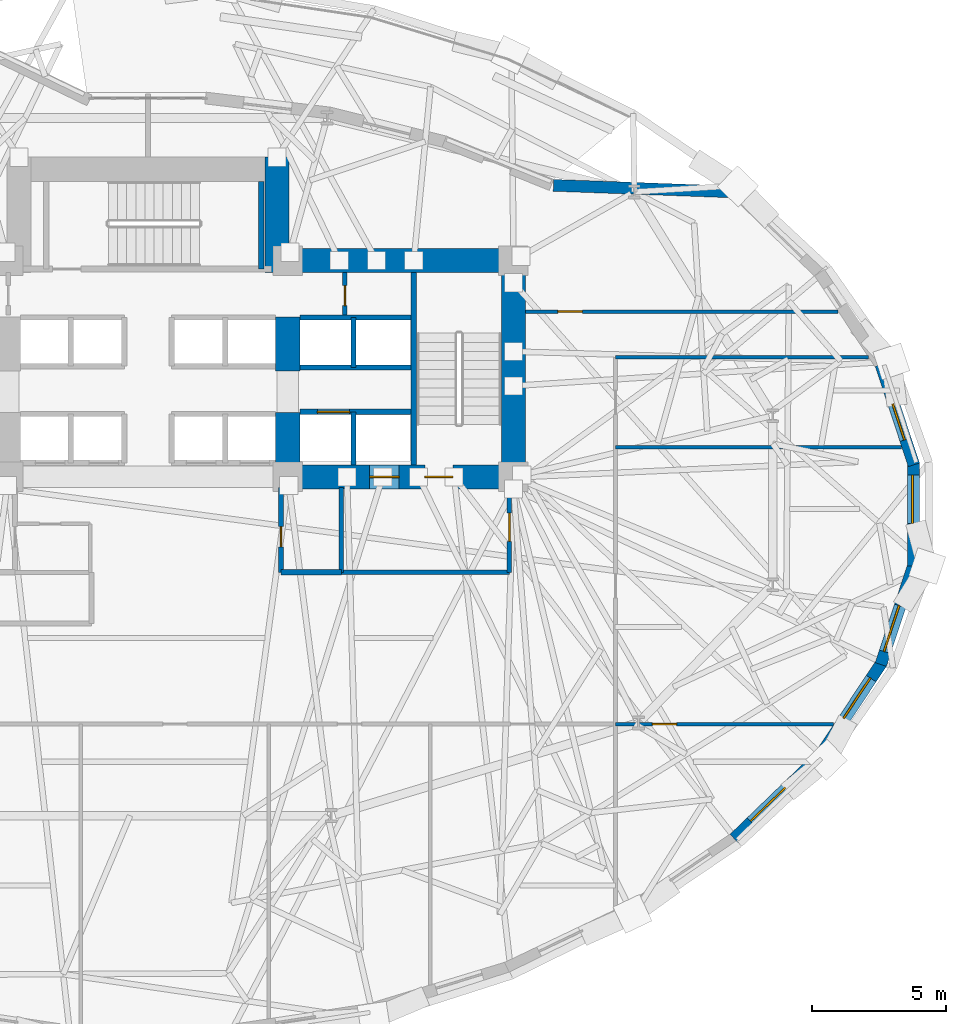
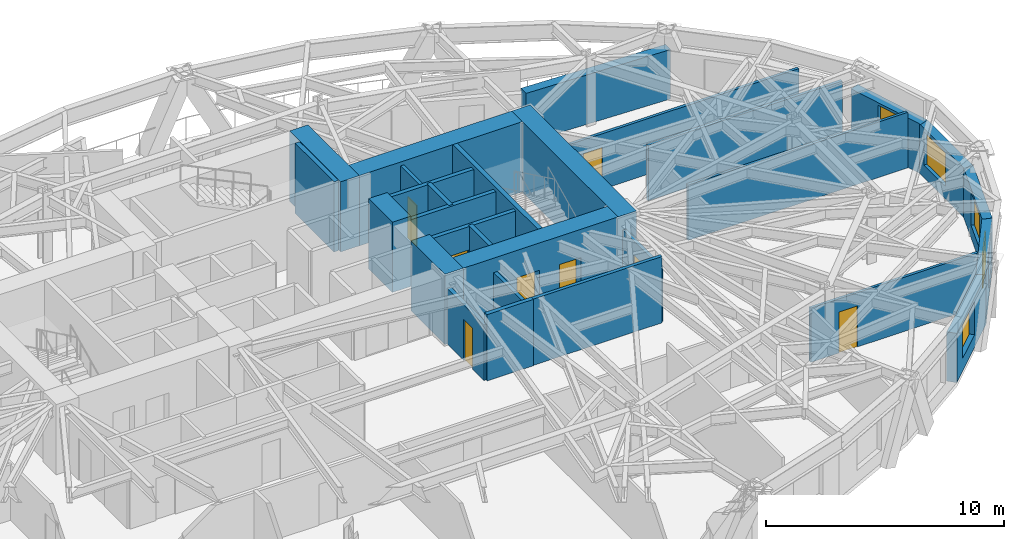
# One storey, part 10 of 15: 29 walls, 8 doors, 5 windows, 13 openings.
"""IFC4 building model written with IfcOpenShell, lengths in metres."""

import ifcopenshell
import ifcopenshell.guid

model = None  # the IFC model being written
_history = None  # IfcOwnerHistory: only IFC2X3 demands one
_inside = {}  # id of a spatial element -> (the spatial element, [elements in it])
_under = {}  # id of a project, library or spatial element -> (it, [spatial elements below it])
_declared = {}  # id of a project -> (the project, [libraries it declares])
_typed = {}  # id of a type object -> (the type object, [elements of that type])
_made_of = {}  # id of a material, layer set ... -> (it, [elements and type objects made of it])


def new_model(schema):
    """Start an empty IFC model of exactly this schema.

    Asked for "IFC4X3", IfcOpenShell would pick the latest addendum, in which some entities
    have other attributes; the version numbers below select the first issue.
    IFC2X3 requires an IfcOwnerHistory on every rooted entity: one is made here for all.
    """
    global model, _history
    if schema == "IFC4X3":
        model = ifcopenshell.file(schema_version=(4, 3, 0, 0))
    else:
        model = ifcopenshell.file(schema=schema)
    _inside.clear()
    _under.clear()
    _declared.clear()
    _typed.clear()
    _made_of.clear()
    _history = None
    if model.schema == "IFC2X3":
        org = make("IfcOrganization", Name="unknown")
        user = make(
            "IfcPersonAndOrganization",
            ThePerson=make("IfcPerson", FamilyName="unknown"),
            TheOrganization=org,
        )
        app = make(
            "IfcApplication",
            ApplicationDeveloper=org,
            Version="unknown",
            ApplicationFullName="unknown",
            ApplicationIdentifier="unknown",
        )
        _history = make(
            "IfcOwnerHistory",
            OwningUser=user,
            OwningApplication=app,
            ChangeAction="ADDED",
            CreationDate=0,
        )
    return model


def make(cls, **values):
    """One entity of the class cls with the attributes given. An attribute that is None is left unset."""
    return model.create_entity(
        cls, **{name: value for name, value in values.items() if value is not None}
    )


def rooted(cls, **values):
    """An entity with a GlobalId (a new one), such as an element, a storey or a relation."""
    return make(cls, GlobalId=ifcopenshell.guid.new(), OwnerHistory=_history, **values)


def si_unit(unit_type, name, prefix=None):
    """IfcSIUnit, for example si_unit("LENGTHUNIT", "METRE", prefix="MILLI")."""
    return make("IfcSIUnit", UnitType=unit_type, Prefix=prefix, Name=name)


def assignment(units):
    """IfcUnitAssignment: the units of a project."""
    return None if units is None else make("IfcUnitAssignment", Units=units)


def point(xyz):
    """IfcCartesianPoint."""
    return None if xyz is None else make("IfcCartesianPoint", Coordinates=xyz)


def direction(xyz):
    """IfcDirection."""
    return None if xyz is None else make("IfcDirection", DirectionRatios=xyz)


def frame(location, z_axis=None, x_axis=None):
    """IfcAxis2Placement3D, a coordinate frame: its origin and axes. An axis left out is left unset."""
    return make(
        "IfcAxis2Placement3D",
        Location=point(location),
        Axis=direction(z_axis),
        RefDirection=direction(x_axis),
    )


def frame_2d(location, x_axis=None):
    """IfcAxis2Placement2D, a coordinate frame in the plane: its origin and x axis."""
    return make(
        "IfcAxis2Placement2D", Location=point(location), RefDirection=direction(x_axis)
    )


def origin():
    """The frame at (0, 0, 0) with its axes left unset."""
    return frame((0.0, 0.0, 0.0))


def place(relative_to, where):
    """IfcLocalPlacement: puts the frame where relative to a parent placement (None: the world)."""
    return make(
        "IfcLocalPlacement", PlacementRelTo=relative_to, RelativePlacement=where
    )


def context(
    kind, dimensions, precision=None, world=None, true_north=None, identifier=None
):
    """IfcGeometricRepresentationContext, for example the 3D "Model" context."""
    return make(
        "IfcGeometricRepresentationContext",
        ContextIdentifier=identifier,
        ContextType=kind,
        CoordinateSpaceDimension=dimensions,
        Precision=precision,
        WorldCoordinateSystem=world,
        TrueNorth=true_north,
    )


def subcontext(parent, identifier, kind, view, scale=None):
    """IfcGeometricRepresentationSubContext, for example "Body" below "Model"."""
    return make(
        "IfcGeometricRepresentationSubContext",
        ContextIdentifier=identifier,
        ContextType=kind,
        ParentContext=parent,
        TargetScale=scale,
        TargetView=view,
    )


def project(units=None, contexts=None):
    """IfcProject with its units and contexts."""
    return rooted(
        "IfcProject",
        Name="project",
        RepresentationContexts=contexts,
        UnitsInContext=assignment(units),
    )


def spatial(cls, under=None, at=None, **own):
    """A site, building, storey or space (cls), placed at a placement, below another one or the project."""
    s = rooted(cls, ObjectPlacement=at, **own)
    if under is not None:
        _under.setdefault(under.id(), (under, []))[1].append(s)
    return s


def profile(cls, at=None, kind="AREA", **sizes):
    """A parametric profile (cls). Its sizes go by their IFC names, for example OverallWidth=200.0."""
    return make(cls, ProfileType=kind, Position=at, **sizes)


def rectangle(**sizes):
    """IfcRectangleProfileDef."""
    return profile("IfcRectangleProfileDef", **sizes)


def extrude(swept, where, along, depth):
    """IfcExtrudedAreaSolid: the profile swept, set in the frame where, extruded along a direction by depth."""
    return make(
        "IfcExtrudedAreaSolid",
        SweptArea=swept,
        Position=where,
        ExtrudedDirection=direction(along),
        Depth=depth,
    )


def shape(context_of_items, identifier, shape_type, items):
    """IfcShapeRepresentation: the items that make up one representation, for example the "Body"."""
    return make(
        "IfcShapeRepresentation",
        ContextOfItems=context_of_items,
        RepresentationIdentifier=identifier,
        RepresentationType=shape_type,
        Items=items,
    )


def material(Name=None, Category=None):
    """IfcMaterial."""
    return make("IfcMaterial", Name=Name, Category=Category)


def layer(
    of_material, thickness, ventilated=None, Name=None, Category=None, Priority=None
):
    """IfcMaterialLayer: one layer of a wall or slab, of a material (None: an air gap)."""
    return make(
        "IfcMaterialLayer",
        Material=of_material,
        LayerThickness=thickness,
        IsVentilated=ventilated,
        Name=Name,
        Category=Category,
        Priority=Priority,
    )


def layer_set(layers, Name=None):
    """IfcMaterialLayerSet."""
    return make("IfcMaterialLayerSet", MaterialLayers=layers, LayerSetName=Name)


def made_of(thing, what):
    """Note that an element or type object is made of a material, layer set ...; save() writes the relation."""
    if what is not None:
        _made_of.setdefault(what.id(), (what, []))[1].append(thing)
    return thing


def type_object(cls, material=None, **own):
    """A type object (cls), such as IfcWallType, which elements share."""
    return made_of(rooted(cls, **own), material)


def element(
    cls,
    number,
    at=None,
    inside=None,
    cuts=None,
    type_object=None,
    material=None,
    context=None,
    identifier="Body",
    shape_type=None,
    held_by="IfcProductDefinitionShape",
    body=None,
    shapes=None,
    **own,
):
    """One element of the class cls, such as IfcWall. Its Tag is "e" and its number.

    at: its placement. inside: the storey or other place that contains it. cuts: it is an
    opening in that element (IfcRelVoidsElement). A single representation is given by context,
    identifier, shape_type and body (its items); several are given by shapes. held_by: the class
    of the entity that holds the representations. save() writes the other relations.
    """
    e = rooted(cls, Tag="e%d" % number, ObjectPlacement=at, **own)
    if body is not None:
        shapes = [shape(context, identifier, shape_type, body)]
    if shapes is not None:
        e.Representation = make(held_by, Representations=shapes)
    if inside is not None:
        _inside.setdefault(inside.id(), (inside, []))[1].append(e)
    if cuts is not None:
        rooted(
            "IfcRelVoidsElement", RelatingBuildingElement=cuts, RelatedOpeningElement=e
        )
    if type_object is not None:
        _typed.setdefault(type_object.id(), (type_object, []))[1].append(e)
    return made_of(e, material)


def fill(opening, filler):
    """IfcRelFillsElement: the door or window that sits in an opening."""
    return rooted(
        "IfcRelFillsElement",
        RelatingOpeningElement=opening,
        RelatedBuildingElement=filler,
    )


def aggregate(whole, parts):
    """IfcRelAggregates: a whole, such as a stair, and the parts it consists of."""
    return rooted("IfcRelAggregates", RelatingObject=whole, RelatedObjects=parts)


def save(model, path):
    """Write the relations noted so far, then the file.

    IfcRelAggregates (storeys below a building ...), IfcRelContainedInSpatialStructure (elements
    in a storey), IfcRelDefinesByType, IfcRelAssociatesMaterial and IfcRelDeclares: one each for
    every whole, place, type object, material and project.
    """
    for whole, parts in _under.values():
        aggregate(whole, parts)
    for where, things in _inside.values():
        rooted(
            "IfcRelContainedInSpatialStructure",
            RelatedElements=things,
            RelatingStructure=where,
        )
    for kind, things in _typed.values():
        rooted("IfcRelDefinesByType", RelatedObjects=things, RelatingType=kind)
    for what, things in _made_of.values():
        rooted("IfcRelAssociatesMaterial", RelatedObjects=things, RelatingMaterial=what)
    for by, libraries in _declared.values():
        rooted("IfcRelDeclares", RelatingContext=by, RelatedDefinitions=libraries)
    model.write(path)


model = new_model("IFC4")

# Units and contexts
model_context = context("Model", 3, precision=1e-05, world=origin(), true_north=direction((0.0, 1.0)))
body_context = subcontext(model_context, "Body", "Model", "MODEL_VIEW")
ifc_project = project(units=[si_unit("LENGTHUNIT", "METRE"), si_unit("AREAUNIT", "SQUARE_METRE"), si_unit("VOLUMEUNIT", "CUBIC_METRE"), si_unit("PLANEANGLEUNIT", "RADIAN"), si_unit("MASSUNIT", "GRAM", prefix="KILO")], contexts=[model_context])

# Site, building, storey
site_placement = place(None, origin())
site = spatial("IfcSite", under=ifc_project, at=site_placement, CompositionType="ELEMENT")
building_placement = place(site_placement, origin())
building = spatial("IfcBuilding", under=site, at=building_placement, Name="Keldmark Tower", CompositionType="ELEMENT")
storey_placement = place(building_placement, frame((0.0, 0.0, 55.800048828125)))
storey = spatial("IfcBuildingStorey", under=building, at=storey_placement, Name="L14", CompositionType="ELEMENT", Elevation=55.800048828125)

# Wall, opening, door
ifc_material_1 = material(Name="Acoustic Double-Layer Gypsum Corridor Partition", Category="gypsum")
ifc_layer_1 = layer(ifc_material_1, 0.139892578125)
ifc_layer_set_1 = layer_set([ifc_layer_1], Name="Acoustic Double-Layer Gypsum Corridor Partition")
wall_type_1 = type_object("IfcWallType", Name="Acoustic Corridor Partition 140 mm", PredefinedType="PARTITIONING", material=ifc_layer_set_1)
wall_1_placement = place(storey_placement, frame((14.050048828125, 7.550048828125, 0.0), z_axis=(0.0, 0.0, 1.0), x_axis=(1.0, 0.0, 0.0)))
wall_1 = element("IfcWall", 1, at=wall_1_placement, inside=storey, type_object=wall_type_1, Name="L14 Acoustic Corridor Partition 140 mm COR-EN-CAP", PredefinedType="PARTITIONING", context=body_context, shape_type="SweptSolid", body=[
    extrude(rectangle(XDim=11.633544921875, YDim=0.139892578125, at=frame_2d((5.81689453125, 0.0))), origin(), (0.0, 0.0, 1.0), 2.85302734375),
])
opening_1_placement = place(wall_1_placement, frame((1.199951171875, 0.0, 0.0)))
opening_1 = element("IfcOpeningElement", 2, at=opening_1_placement, cuts=wall_1, Name="Opening D-EX092", PredefinedType="OPENING", context=body_context, shape_type="SweptSolid", body=[
    extrude(rectangle(XDim=0.919921875, YDim=2.14990234375, at=frame_2d((0.4599609375, 1.074951171875))), frame((0.0, 0.079833984375, 0.0), z_axis=(0.0, -1.0, 0.0), x_axis=(1.0, 0.0, 0.0)), (0.0, 0.0, 1.0), 0.159912109375),
])
ifc_material_2 = material(Name="Flush American Ash Executive Office Door", Category="wood")
door_type_1 = type_object("IfcDoorType", Name="Executive Office Door 920x2150", OperationType="NOTDEFINED", PredefinedType="DOOR", material=ifc_material_2)
door_1_placement = place(opening_1_placement, origin())
door_1 = element("IfcDoor", 3, at=door_1_placement, inside=storey, type_object=door_type_1, Name="L14 Executive Office Door 920x2150 D-NRNE-L14", OperationType="SINGLE_SWING_RIGHT", OverallHeight=2.14990234375, OverallWidth=0.919921875, PredefinedType="DOOR", context=body_context, shape_type="SweptSolid", body=[
    extrude(rectangle(XDim=0.919921875, YDim=2.14990234375, at=frame_2d((0.4599609375, 1.074951171875))), frame((0.0, 0.02490234375, 0.0), z_axis=(0.0, -1.0, 0.0), x_axis=(1.0, 0.0, 0.0)), (0.0, 0.0, 1.0), 0.050048828125),
])
fill(opening_1, door_1)

# Wall
wall_2_placement = place(storey_placement, frame((17.39990234375, 5.85009765625, 0.0), z_axis=(0.0, 0.0, 1.0), x_axis=(1.0, 0.0, 0.0)))
element("IfcWall", 4, at=wall_2_placement, inside=storey, type_object=wall_type_1, Name="L14 Acoustic Corridor Partition 140 mm COR-EA-S", PredefinedType="PARTITIONING", context=body_context, shape_type="SweptSolid", body=[
    extrude(rectangle(XDim=9.41259765625, YDim=0.139892578125, at=frame_2d((4.706298828125, 0.0))), origin(), (0.0, 0.0, 1.0), 2.85302734375),
])

# Wall, opening, door
ifc_material_3 = material(Name="Acoustic Gypsum Board Interior Partition", Category="gypsum")
ifc_layer_2 = layer(ifc_material_3, 0.1298828125)
ifc_layer_set_2 = layer_set([ifc_layer_2], Name="Acoustic Gypsum Board Interior Partition")
wall_type_2 = type_object("IfcWallType", Name="Interior Partition 130 mm", PredefinedType="PARTITIONING", material=ifc_layer_set_2)
wall_3_placement = place(storey_placement, frame((17.39990234375, -7.800048828125, 0.0), z_axis=(0.0, 0.0, 1.0), x_axis=(1.0, 0.0, 0.0)))
wall_3 = element("IfcWall", 5, at=wall_3_placement, inside=storey, type_object=wall_type_2, Name="L14 Interior Partition 130 mm E-CAP-S", PredefinedType="PARTITIONING", context=body_context, shape_type="SweptSolid", body=[
    extrude(rectangle(XDim=8.11767578125, YDim=0.1298828125, at=frame_2d((4.058837890625, 0.0))), origin(), (0.0, 0.0, 1.0), 2.779052734375),
])
opening_2_placement = place(wall_3_placement, frame((1.3701171875, 0.0, 0.0)))
opening_2 = element("IfcOpeningElement", 6, at=opening_2_placement, cuts=wall_3, Name="Opening D-IN090", PredefinedType="OPENING", context=body_context, shape_type="SweptSolid", body=[
    extrude(rectangle(XDim=0.89990234375, YDim=2.10009765625, at=frame_2d((0.449951171875, 1.050048828125))), frame((0.0, 0.074951171875, 0.0), z_axis=(0.0, -1.0, 0.0), x_axis=(1.0, 0.0, 0.0)), (0.0, 0.0, 1.0), 0.14990234375),
])
ifc_material_4 = material(Name="Stained American White Oak Veneer", Category="wood")
door_type_2 = type_object("IfcDoorType", Name="Interior Door 900x2100", OperationType="NOTDEFINED", PredefinedType="DOOR", material=ifc_material_4)
door_2_placement = place(opening_2_placement, origin())
door_2 = element("IfcDoor", 7, at=door_2_placement, inside=storey, type_object=door_type_2, Name="L14 Interior Door 900x2100 D-ERSE-L14", OperationType="SINGLE_SWING_RIGHT", OverallHeight=2.10009765625, OverallWidth=0.89990234375, PredefinedType="DOOR", context=body_context, shape_type="SweptSolid", body=[
    extrude(rectangle(XDim=0.89990234375, YDim=2.10009765625, at=frame_2d((0.449951171875, 1.050048828125))), frame((0.0, 0.02490234375, 0.0), z_axis=(0.0, -1.0, 0.0), x_axis=(1.0, 0.0, 0.0)), (0.0, 0.0, 1.0), 0.050048828125),
])
fill(opening_2, door_2)

# Walls
wall_4_placement = place(storey_placement, frame((17.39990234375, 2.5, 0.0), z_axis=(0.0, 0.0, 1.0), x_axis=(1.0, 0.0, 0.0)))
element("IfcWall", 8, at=wall_4_placement, inside=storey, type_object=wall_type_2, Name="L14 Interior Partition 130 mm E-DIV-1", PredefinedType="PARTITIONING", context=body_context, shape_type="SweptSolid", body=[
    extrude(rectangle(XDim=10.64990234375, YDim=0.1298828125, at=frame_2d((5.324951171875, 0.0))), origin(), (0.0, 0.0, 1.0), 2.841064453125),
])
ifc_material_5 = material(Name="Concrete C70/85", Category="concrete")
ifc_layer_3 = layer(ifc_material_5, 0.89990234375)
ifc_layer_set_3 = layer_set([ifc_layer_3], Name="Concrete C70/85")
wall_type_3 = type_object("IfcWallType", Name="Lower Core Shear Wall 900 mm", PredefinedType="SHEAR", material=ifc_layer_set_3)
wall_5_placement = place(storey_placement, frame((13.60009765625, 0.949951171875, 0.0), z_axis=(0.0, 0.0, 1.0), x_axis=(0.0, 1.0, 0.0)))
element("IfcWall", 9, at=wall_5_placement, inside=storey, type_object=wall_type_3, Name="L14 East Core Outer Shear Wall", PredefinedType="SHEAR", context=body_context, shape_type="SweptSolid", body=[
    extrude(rectangle(XDim=8.949951171875, YDim=0.89990234375, at=frame_2d((4.47509765625, 0.0))), origin(), (0.0, 0.0, 1.0), 3.599853515625),
])
wall_6_placement = place(storey_placement, frame((4.35009765625, 9.449951171875, 0.0), z_axis=(0.0, 0.0, 1.0), x_axis=(1.0, 0.0, 0.0)))
element("IfcWall", 10, at=wall_6_placement, inside=storey, type_object=wall_type_3, Name="L14 East Core North Shear Wall", PredefinedType="SHEAR", context=body_context, shape_type="SweptSolid", body=[
    extrude(rectangle(XDim=9.699951171875, YDim=0.89990234375, at=frame_2d((4.85009765625, 0.0))), origin(), (0.0, 0.0, 1.0), 3.599853515625),
])

# Wall, openings, doors
wall_7_placement = place(storey_placement, frame((14.050048828125, 1.39990234375, 0.0), z_axis=(0.0, 0.0, 1.0), x_axis=(-1.0, 0.0, 0.0)))
wall_7 = element("IfcWall", 11, at=wall_7_placement, inside=storey, type_object=wall_type_3, Name="L14 East Core South Shear Wall", PredefinedType="SHEAR", context=body_context, shape_type="SweptSolid", body=[
    extrude(rectangle(XDim=9.300048828125, YDim=0.89990234375, at=frame_2d((4.64990234375, 0.0))), origin(), (0.0, 0.0, 1.0), 3.599853515625),
])
opening_3_placement = place(wall_7_placement, frame((2.699951171875, 0.0, 0.0)))
opening_3 = element("IfcOpeningElement", 12, at=opening_3_placement, cuts=wall_7, Name="Opening D-ST105", PredefinedType="OPENING", context=body_context, shape_type="SweptSolid", body=[
    extrude(rectangle(XDim=1.050048828125, YDim=2.14990234375, at=frame_2d((0.52490234375, 1.074951171875))), frame((0.0, 0.4599609375, 0.0), z_axis=(0.0, -1.0, 0.0), x_axis=(1.0, 0.0, 0.0)), (0.0, 0.0, 1.0), 0.919921875),
])
opening_4_placement = place(wall_7_placement, frame((4.699951171875, 0.0, 0.0)))
opening_4 = element("IfcOpeningElement", 13, at=opening_4_placement, cuts=wall_7, Name="Opening LD-110", PredefinedType="OPENING", context=body_context, shape_type="SweptSolid", body=[
    extrude(rectangle(XDim=1.10009765625, YDim=2.199951171875, at=frame_2d((0.550048828125, 1.10009765625))), frame((0.0, 0.4599609375, 0.0), z_axis=(0.0, -1.0, 0.0), x_axis=(1.0, 0.0, 0.0)), (0.0, 0.0, 1.0), 0.919921875),
])
ifc_material_6 = material(Name="Brushed Bronze Hoistway Sliding Leaf", Category="metal")
door_type_3 = type_object("IfcDoorType", Name="Lift Landing Sliding Door 1100x2200", OperationType="SLIDING_TO_LEFT", PredefinedType="DOOR", material=ifc_material_6)
door_3_placement = place(opening_4_placement, origin())
door_3 = element("IfcDoor", 14, at=door_3_placement, inside=storey, type_object=door_type_3, Name="L14 Lift Landing Sliding Door 1100x2200 LD-EL-FS2-L14", OperationType="SLIDING_TO_LEFT", OverallHeight=2.199951171875, OverallWidth=1.10009765625, PredefinedType="DOOR", context=body_context, shape_type="SweptSolid", body=[
    extrude(rectangle(XDim=1.10009765625, YDim=2.199951171875, at=frame_2d((0.550048828125, 1.10009765625))), frame((0.0, 0.02490234375, 0.0), z_axis=(0.0, -1.0, 0.0), x_axis=(1.0, 0.0, 0.0)), (0.0, 0.0, 1.0), 0.050048828125),
])
fill(opening_4, door_3)
ifc_material_7 = material(Name="Hollow Metal Fire-Rated Door Assembly", Category="metal")
door_type_4 = type_object("IfcDoorType", Name="Stair Fire Door 1050x2150", OperationType="NOTDEFINED", PredefinedType="DOOR", material=ifc_material_7)
door_4_placement = place(opening_3_placement, origin())
door_4 = element("IfcDoor", 15, at=door_4_placement, inside=storey, type_object=door_type_4, Name="L14 Stair Fire Door 1050x2150 D-ST2-L14", OperationType="SINGLE_SWING_LEFT", OverallHeight=2.14990234375, OverallWidth=1.050048828125, PredefinedType="DOOR", context=body_context, shape_type="SweptSolid", body=[
    extrude(rectangle(XDim=1.050048828125, YDim=2.14990234375, at=frame_2d((0.52490234375, 1.074951171875))), frame((0.0, 0.02490234375, 0.0), z_axis=(0.0, -1.0, 0.0), x_axis=(1.0, 0.0, 0.0)), (0.0, 0.0, 1.0), 0.050048828125),
])
fill(opening_3, door_4)

# Walls
wall_8_placement = place(storey_placement, frame((5.199951171875, 0.949951171875, 0.0), z_axis=(0.0, 0.0, 1.0), x_axis=(0.0, 1.0, 0.0)))
element("IfcWall", 16, at=wall_8_placement, inside=storey, type_object=wall_type_3, Name="L14 East Core Inner Shear Pier South", PredefinedType="SHEAR", context=body_context, shape_type="SweptSolid", body=[
    extrude(rectangle(XDim=2.85009765625, YDim=0.89990234375, at=frame_2d((1.425048828125, 0.0))), origin(), (0.0, 0.0, 1.0), 3.599853515625),
])
wall_9_placement = place(storey_placement, frame((5.199951171875, 5.35009765625, 0.0), z_axis=(0.0, 0.0, 1.0), x_axis=(0.0, 1.0, 0.0)))
element("IfcWall", 17, at=wall_9_placement, inside=storey, type_object=wall_type_3, Name="L14 East Core Inner Shear Pier North", PredefinedType="SHEAR", context=body_context, shape_type="SweptSolid", body=[
    extrude(rectangle(XDim=2.0, YDim=0.89990234375, at=frame_2d((1.0, 0.0))), origin(), (0.0, 0.0, 1.0), 3.599853515625),
])
wall_10_placement = place(storey_placement, frame((4.800048828125, 9.0, 0.0), z_axis=(0.0, 0.0, 1.0), x_axis=(0.0, 1.0, 0.0)))
element("IfcWall", 18, at=wall_10_placement, inside=storey, type_object=wall_type_3, Name="L14 North Core East Shear Wall", PredefinedType="SHEAR", context=body_context, shape_type="SweptSolid", body=[
    extrude(rectangle(XDim=4.300048828125, YDim=0.89990234375, at=frame_2d((2.14990234375, 0.0))), origin(), (0.0, 0.0, 1.0), 3.599853515625),
])
ifc_material_8 = material(Name="Type X Fire-Rated Gypsum Partition Assembly", Category="gypsum")
ifc_layer_4 = layer(ifc_material_8, 0.1650390625)
ifc_layer_set_4 = layer_set([ifc_layer_4], Name="Type X Fire-Rated Gypsum Partition Assembly")
wall_type_4 = type_object("IfcWallType", Name="Rated Partition 165 mm", PredefinedType="PARTITIONING", material=ifc_layer_set_4)
wall_11_placement = place(storey_placement, frame((7.199951171875, -2.14990234375, 0.0), z_axis=(0.0, 0.0, 1.0), x_axis=(1.0, 0.0, 0.0)))
element("IfcWall", 19, at=wall_11_placement, inside=storey, type_object=wall_type_4, Name="L14 Rated Partition 165 mm FSAE-E-S", PredefinedType="PARTITIONING", context=body_context, shape_type="SweptSolid", body=[
    extrude(rectangle(XDim=6.25, YDim=0.1650390625, at=frame_2d((3.125, 0.0))), origin(), (0.0, 0.0, 1.0), 3.39990234375),
])
wall_12_placement = place(storey_placement, frame((7.199951171875, -2.14990234375, 0.0), z_axis=(0.0, 0.0, 1.0), x_axis=(0.0, 1.0, 0.0)))
element("IfcWall", 20, at=wall_12_placement, inside=storey, type_object=wall_type_4, Name="L14 Rated Partition 165 mm FSAE-E-W", PredefinedType="PARTITIONING", context=body_context, shape_type="SweptSolid", body=[
    extrude(rectangle(XDim=3.14990234375, YDim=0.1650390625, at=frame_2d((1.574951171875, 0.0))), origin(), (0.0, 0.0, 1.0), 2.85302734375),
])

# Wall, opening, door
wall_13_placement = place(storey_placement, frame((13.449951171875, -2.14990234375, 0.0), z_axis=(0.0, 0.0, 1.0), x_axis=(0.0, 1.0, 0.0)))
wall_13 = element("IfcWall", 21, at=wall_13_placement, inside=storey, type_object=wall_type_4, Name="L14 Rated Partition 165 mm FSAE-E-E", PredefinedType="PARTITIONING", context=body_context, shape_type="SweptSolid", body=[
    extrude(rectangle(XDim=3.14990234375, YDim=0.1650390625, at=frame_2d((1.574951171875, 0.0))), origin(), (0.0, 0.0, 1.0), 2.85302734375),
])
opening_5_placement = place(wall_13_placement, frame((1.14990234375, 0.0, 0.0)))
opening_5 = element("IfcOpeningElement", 22, at=opening_5_placement, cuts=wall_13, Name="Opening D-FL105", PredefinedType="OPENING", context=body_context, shape_type="SweptSolid", body=[
    extrude(rectangle(XDim=1.050048828125, YDim=2.14990234375, at=frame_2d((0.52490234375, 1.074951171875))), frame((0.0, 0.092529296875, 0.0), z_axis=(0.0, -1.0, 0.0), x_axis=(1.0, 0.0, 0.0)), (0.0, 0.0, 1.0), 0.18505859375),
])
ifc_material_9 = material(Name="Fire-Rated Mineral-Core Door and Vision Lite", Category="metal")
door_type_5 = type_object("IfcDoorType", Name="Fire Lobby Door 1050x2150", OperationType="NOTDEFINED", PredefinedType="DOOR", material=ifc_material_9)
door_5_placement = place(opening_5_placement, origin())
door_5 = element("IfcDoor", 23, at=door_5_placement, inside=storey, type_object=door_type_5, Name="L14 Fire Lobby Door 1050x2150 D-FSAEE-OUT-L14", OperationType="SINGLE_SWING_LEFT", OverallHeight=2.14990234375, OverallWidth=1.050048828125, PredefinedType="DOOR", context=body_context, shape_type="SweptSolid", body=[
    extrude(rectangle(XDim=1.050048828125, YDim=2.14990234375, at=frame_2d((0.52490234375, 1.074951171875))), frame((0.0, 0.02490234375, 0.0), z_axis=(0.0, -1.0, 0.0), x_axis=(1.0, 0.0, 0.0)), (0.0, 0.0, 1.0), 0.050048828125),
])
fill(opening_5, door_5)

wall_14_placement = place(storey_placement, frame((7.330078125, 7.419921875, 0.0), z_axis=(0.0, 0.0, 1.0), x_axis=(0.0, 1.0, 0.0)))
wall_14 = element("IfcWall", 24, at=wall_14_placement, inside=storey, type_object=wall_type_4, Name="L14 Rated Partition 165 mm CS-NE-W", PredefinedType="PARTITIONING", context=body_context, shape_type="SweptSolid", body=[
    extrude(rectangle(XDim=1.580078125, YDim=0.1650390625, at=frame_2d((0.7900390625, 0.0))), origin(), (0.0, 0.0, 1.0), 3.39990234375),
])
opening_6_placement = place(wall_14_placement, frame((0.35009765625, 0.0, 0.0)))
opening_6 = element("IfcOpeningElement", 25, at=opening_6_placement, cuts=wall_14, Name="Opening D-RS075", PredefinedType="OPENING", context=body_context, shape_type="SweptSolid", body=[
    extrude(rectangle(XDim=0.75, YDim=2.10009765625, at=frame_2d((0.375, 1.050048828125))), frame((0.0, 0.092529296875, 0.0), z_axis=(0.0, -1.0, 0.0), x_axis=(1.0, 0.0, 0.0)), (0.0, 0.0, 1.0), 0.18505859375),
])
ifc_material_10 = material(Name="Galvanized Fire-Rated Access Leaf", Category="metal")
door_type_6 = type_object("IfcDoorType", Name="Riser Access Door 750x2100", OperationType="NOTDEFINED", PredefinedType="DOOR", material=ifc_material_10)
door_6_placement = place(opening_6_placement, origin())
door_6 = element("IfcDoor", 26, at=door_6_placement, inside=storey, type_object=door_type_6, Name="L14 Riser Access Door 750x2100 D-CSNE1-L14", OperationType="SINGLE_SWING_LEFT", OverallHeight=2.10009765625, OverallWidth=0.75, PredefinedType="DOOR", context=body_context, shape_type="SweptSolid", body=[
    extrude(rectangle(XDim=0.75, YDim=2.10009765625, at=frame_2d((0.375, 1.050048828125))), frame((0.0, 0.02490234375, 0.0), z_axis=(0.0, -1.0, 0.0), x_axis=(1.0, 0.0, 0.0)), (0.0, 0.0, 1.0), 0.050048828125),
])
fill(opening_6, door_6)

# Wall
ifc_material_11 = material(Name="Fire-Resistant Type X Gypsum Shaftliner Coreboard", Category="gypsum")
ifc_layer_5 = layer(ifc_material_11, 0.199951171875)
ifc_layer_set_5 = layer_set([ifc_layer_5], Name="Fire-Resistant Type X Gypsum Shaftliner Coreboard")
wall_type_5 = type_object("IfcWallType", Name="Shaft Wall 200 mm", PredefinedType="SOLIDWALL", material=ifc_layer_set_5)
wall_15_placement = place(storey_placement, frame((4.949951171875, -2.14990234375, 0.0), z_axis=(0.0, 0.0, 1.0), x_axis=(1.0, 0.0, 0.0)))
element("IfcWall", 27, at=wall_15_placement, inside=storey, type_object=wall_type_5, Name="L14 Shaft Wall 200 mm RIS-SE-S", PredefinedType="SOLIDWALL", context=body_context, shape_type="SweptSolid", body=[
    extrude(rectangle(XDim=2.25, YDim=0.199951171875, at=frame_2d((1.125, 0.0))), origin(), (0.0, 0.0, 1.0), 3.39990234375),
])

# Wall, opening, door
wall_16_placement = place(storey_placement, frame((4.949951171875, -2.14990234375, 0.0), z_axis=(0.0, 0.0, 1.0), x_axis=(0.0, 1.0, 0.0)))
wall_16 = element("IfcWall", 28, at=wall_16_placement, inside=storey, type_object=wall_type_5, Name="L14 Shaft Wall 200 mm RIS-SE-W", PredefinedType="SOLIDWALL", context=body_context, shape_type="SweptSolid", body=[
    extrude(rectangle(XDim=3.14990234375, YDim=0.199951171875, at=frame_2d((1.574951171875, 0.0))), origin(), (0.0, 0.0, 1.0), 2.85302734375),
])
opening_7_placement = place(wall_16_placement, frame((0.949951171875, 0.0, 0.0)))
opening_7 = element("IfcOpeningElement", 29, at=opening_7_placement, cuts=wall_16, Name="Opening D-RS075", PredefinedType="OPENING", context=body_context, shape_type="SweptSolid", body=[
    extrude(rectangle(XDim=0.75, YDim=2.10009765625, at=frame_2d((0.375, 1.050048828125))), frame((0.0, 0.10986328125, 0.0), z_axis=(0.0, -1.0, 0.0), x_axis=(1.0, 0.0, 0.0)), (0.0, 0.0, 1.0), 0.219970703125),
])
door_7_placement = place(opening_7_placement, origin())
door_7 = element("IfcDoor", 30, at=door_7_placement, inside=storey, type_object=door_type_6, Name="L14 Riser Access Door 750x2100 D-RISSE-L14", OperationType="SINGLE_SWING_LEFT", OverallHeight=2.10009765625, OverallWidth=0.75, PredefinedType="DOOR", context=body_context, shape_type="SweptSolid", body=[
    extrude(rectangle(XDim=0.75, YDim=2.10009765625, at=frame_2d((0.375, 1.050048828125))), frame((0.0, 0.02490234375, 0.0), z_axis=(0.0, -1.0, 0.0), x_axis=(1.0, 0.0, 0.0)), (0.0, 0.0, 1.0), 0.050048828125),
])
fill(opening_7, door_7)

wall_17_placement = place(storey_placement, frame((5.64990234375, 3.820068359375, 0.0), z_axis=(0.0, 0.0, 1.0), x_axis=(1.0, 0.0, 0.0)))
wall_17 = element("IfcWall", 31, at=wall_17_placement, inside=storey, type_object=wall_type_5, Name="L14 Shaft Wall 200 mm HW-E-S", PredefinedType="SOLIDWALL", context=body_context, shape_type="SweptSolid", body=[
    extrude(rectangle(XDim=4.130126953125, YDim=0.199951171875, at=frame_2d((2.06494140625, 0.0))), origin(), (0.0, 0.0, 1.0), 3.39990234375),
])
opening_8_placement = place(wall_17_placement, frame((0.64990234375, 0.0, 0.0)))
opening_8 = element("IfcOpeningElement", 32, at=opening_8_placement, cuts=wall_17, Name="Opening LD-120", PredefinedType="OPENING", context=body_context, shape_type="SweptSolid", body=[
    extrude(rectangle(XDim=1.199951171875, YDim=2.199951171875, at=frame_2d((0.60009765625, 1.10009765625))), frame((0.0, 0.10986328125, 0.0), z_axis=(0.0, -1.0, 0.0), x_axis=(1.0, 0.0, 0.0)), (0.0, 0.0, 1.0), 0.219970703125),
])
ifc_material_12 = material(Name="Heavy-Duty Brushed Metal Hoistway Sliding Leaf", Category="metal")
door_type_7 = type_object("IfcDoorType", Name="Service Lift Sliding Door 1200x2200", OperationType="SLIDING_TO_RIGHT", PredefinedType="DOOR", material=ifc_material_12)
door_8_placement = place(opening_8_placement, origin())
door_8 = element("IfcDoor", 33, at=door_8_placement, inside=storey, type_object=door_type_7, Name="L14 Service Lift Sliding Door 1200x2200 LD-EL-SV1-L14", OperationType="SLIDING_TO_RIGHT", OverallHeight=2.199951171875, OverallWidth=1.199951171875, PredefinedType="DOOR", context=body_context, shape_type="SweptSolid", body=[
    extrude(rectangle(XDim=1.199951171875, YDim=2.199951171875, at=frame_2d((0.60009765625, 1.10009765625))), frame((0.0, 0.02490234375, 0.0), z_axis=(0.0, -1.0, 0.0), x_axis=(1.0, 0.0, 0.0)), (0.0, 0.0, 1.0), 0.050048828125),
])
fill(opening_8, door_8)

# Walls
wall_18_placement = place(storey_placement, frame((7.64990234375, 1.85009765625, 0.0), z_axis=(0.0, 0.0, 1.0), x_axis=(0.0, 1.0, 0.0)))
element("IfcWall", 34, at=wall_18_placement, inside=storey, type_object=wall_type_5, Name="L14 Shaft Wall 200 mm HW-E-M", PredefinedType="SOLIDWALL", context=body_context, shape_type="SweptSolid", body=[
    extrude(rectangle(XDim=1.969970703125, YDim=0.199951171875, at=frame_2d((0.98486328125, 0.0))), origin(), (0.0, 0.0, 1.0), 3.39990234375),
])
for number, where, z_axis, x_axis, name in (
    (35, (5.64990234375, 5.469970703125, 0.0), (0.0, 0.0, 1.0), (1.0, 0.0, 0.0), "L14 Shaft Wall 200 mm HW-E-N"),
    (36, (5.64990234375, 7.330078125, 0.0), (0.0, 0.0, 1.0), (1.0, 0.0, 0.0), "L14 Shaft Wall 200 mm HW-E-TOP"),
):
    element("IfcWall", number, at=place(storey_placement, frame(where, z_axis=z_axis, x_axis=x_axis)), inside=storey, type_object=wall_type_5, Name=name, PredefinedType="SOLIDWALL", context=body_context, shape_type="SweptSolid", body=[
        extrude(rectangle(XDim=4.130126953125, YDim=0.199951171875, at=frame_2d((2.06494140625, 0.0))), origin(), (0.0, 0.0, 1.0), 3.39990234375),
    ])
wall_19_placement = place(storey_placement, frame((7.64990234375, 5.469970703125, 0.0), z_axis=(0.0, 0.0, 1.0), x_axis=(0.0, 1.0, 0.0)))
element("IfcWall", 37, at=wall_19_placement, inside=storey, type_object=wall_type_5, Name="L14 Shaft Wall 200 mm HW-E-NM", PredefinedType="SOLIDWALL", context=body_context, shape_type="SweptSolid", body=[
    extrude(rectangle(XDim=1.860107421875, YDim=0.199951171875, at=frame_2d((0.93017578125, 0.0))), origin(), (0.0, 0.0, 1.0), 3.39990234375),
])
ifc_material_13 = material(Name="Concrete C50/60", Category="concrete")
ifc_layer_6 = layer(ifc_material_13, 0.219970703125)
ifc_layer_set_6 = layer_set([ifc_layer_6], Name="Concrete C50/60")
wall_type_6 = type_object("IfcWallType", Name="Stair Core Shear Wall 220 mm", PredefinedType="SHEAR", material=ifc_layer_set_6)
wall_20_placement = place(storey_placement, frame((9.889892578125, 1.85009765625, 0.0), z_axis=(0.0, 0.0, 1.0), x_axis=(0.0, 1.0, 0.0)))
element("IfcWall", 38, at=wall_20_placement, inside=storey, type_object=wall_type_6, Name="L14 East Stair Core Shear Wall", PredefinedType="SHEAR", context=body_context, shape_type="SweptSolid", body=[
    extrude(rectangle(XDim=7.14990234375, YDim=0.219970703125, at=frame_2d((3.574951171875, 0.0))), origin(), (0.0, 0.0, 1.0), 3.599853515625),
])
wall_21_placement = place(storey_placement, frame((4.215087890625, 9.139892578125, 0.0), z_axis=(0.0, 0.0, 1.0), x_axis=(0.0, 1.0, 0.0)))
element("IfcWall", 39, at=wall_21_placement, inside=storey, type_object=wall_type_6, Name="L14 Central Stair Core East Shear Wall", PredefinedType="SHEAR", context=body_context, shape_type="SweptSolid", body=[
    extrude(rectangle(XDim=3.260009765625, YDim=0.219970703125, at=frame_2d((1.6298828125, 0.0))), origin(), (0.0, 0.0, 1.0), 3.599853515625),
])

# Wall, opening, window
ifc_material_14 = material(Name="Ironspot Manganese Brick and Kasota Buff Limestone Spandrel Assembly", Category="masonry")
ifc_layer_7 = layer(ifc_material_14, 0.43994140625)
ifc_layer_set_7 = layer_set([ifc_layer_7], Name="Ironspot Manganese Brick and Kasota Buff Limestone Spandrel Assembly")
wall_type_7 = type_object("IfcWallType", Name="Tower Brick Pier and Spandrel Wall 440 mm", PredefinedType="STANDARD", material=ifc_layer_set_7)
wall_22_placement = place(storey_placement, frame((27.273193359375, 5.58251953125, 0.0), z_axis=(0.0, 0.0, 1.0), x_axis=(0.31317140165, -0.949696621658, 0.0)))
wall_22 = element("IfcWall", 40, at=wall_22_placement, inside=storey, type_object=wall_type_7, Name="L14 Exterior Brick and Spandrel Wall 01", PredefinedType="STANDARD", context=body_context, shape_type="SweptSolid", body=[
    extrude(rectangle(XDim=3.93212890625, YDim=0.43994140625, at=frame_2d((1.966064453125, 0.0))), origin(), (0.0, 0.0, 1.0), 2.532958984375),
])
opening_9_placement = place(wall_22_placement, frame((1.538818359375, 0.0, 0.85009765625)))
opening_9 = element("IfcOpeningElement", 41, at=opening_9_placement, cuts=wall_22, Name="Opening W-08", PredefinedType="OPENING", context=body_context, shape_type="SweptSolid", body=[
    extrude(rectangle(XDim=1.39990234375, YDim=1.550048828125, at=frame_2d((0.699951171875, 0.77490234375))), frame((0.0, 0.22998046875, 0.0), z_axis=(0.0, -1.0, 0.0), x_axis=(1.0, 0.0, 0.0)), (0.0, 0.0, 1.0), 0.4599609375),
])
ifc_material_15 = material(Name="Thermally Broken Anodized Aluminum and Triple Low-E Argon Glazing", Category="aluminium")
window_type_1 = type_object("IfcWindowType", Name="Residential Corner Punched Window 1400x1550", PartitioningType="SINGLE_PANEL", PredefinedType="WINDOW", material=ifc_material_15)
window_1_placement = place(opening_9_placement, origin())
window_1 = element("IfcWindow", 42, at=window_1_placement, inside=storey, type_object=window_type_1, Name="L14 Deep-Set Window 01", OverallHeight=1.550048828125, OverallWidth=1.39990234375, PartitioningType="SINGLE_PANEL", PredefinedType="WINDOW", context=body_context, shape_type="SweptSolid", body=[
    extrude(rectangle(XDim=1.39990234375, YDim=1.550048828125, at=frame_2d((0.699951171875, 0.77490234375))), frame((0.0, -0.010009765625, 0.0), z_axis=(0.0, -1.0, 0.0), x_axis=(1.0, 0.0, 0.0)), (0.0, 0.0, 1.0), 0.06005859375),
])
fill(opening_9, window_1)

# Wall
wall_23_placement = place(storey_placement, frame((15.088134765625, 12.25, 0.0), z_axis=(0.0, 0.0, 1.0), x_axis=(0.99933827779, -0.036373156908, 0.0)))
element("IfcWall", 43, at=wall_23_placement, inside=storey, type_object=wall_type_7, Name="L14 Exterior Brick and Spandrel Wall 04", PredefinedType="STANDARD", context=body_context, shape_type="SweptSolid", body=[
    extrude(rectangle(XDim=6.873291015625, YDim=0.43994140625, at=frame_2d((3.4365234375, 0.0))), origin(), (0.0, 0.0, 1.0), 2.532958984375),
])

# Wall, opening, window
wall_24_placement = place(storey_placement, frame((25.0244140625, -8.96435546875, 0.0), z_axis=(0.0, 0.0, 1.0), x_axis=(-0.719928259859, -0.694048485811, 0.0)))
wall_24 = element("IfcWall", 44, at=wall_24_placement, inside=storey, type_object=wall_type_7, Name="L14 Exterior Brick and Spandrel Wall 29", PredefinedType="STANDARD", context=body_context, shape_type="SweptSolid", body=[
    extrude(rectangle(XDim=4.462158203125, YDim=0.43994140625, at=frame_2d((2.23095703125, 0.0))), origin(), (0.0, 0.0, 1.0), 2.529052734375),
])
opening_10_placement = place(wall_24_placement, frame((1.773681640625, 0.0, 0.64990234375)))
opening_10 = element("IfcOpeningElement", 45, at=opening_10_placement, cuts=wall_24, Name="Opening W-02", PredefinedType="OPENING", context=body_context, shape_type="SweptSolid", body=[
    extrude(rectangle(XDim=1.800048828125, YDim=1.699951171875, at=frame_2d((0.89990234375, 0.85009765625))), frame((0.0, 0.22998046875, 0.0), z_axis=(0.0, -1.0, 0.0), x_axis=(1.0, 0.0, 0.0)), (0.0, 0.0, 1.0), 0.4599609375),
])
ifc_material_16 = material(Name="Thermally Broken Anodized Aluminum and Triple Low-E Argon Glazing", Category="aluminium")
window_type_2 = type_object("IfcWindowType", Name="Office Deep-Set Triple Window 1800x1700", PartitioningType="TRIPLE_PANEL_VERTICAL", PredefinedType="WINDOW", material=ifc_material_16)
window_2_placement = place(opening_10_placement, origin())
window_2 = element("IfcWindow", 46, at=window_2_placement, inside=storey, type_object=window_type_2, Name="L14 Deep-Set Window 29", OverallHeight=1.699951171875, OverallWidth=1.800048828125, PartitioningType="SINGLE_PANEL", PredefinedType="WINDOW", context=body_context, shape_type="SweptSolid", body=[
    extrude(rectangle(XDim=1.800048828125, YDim=1.699951171875, at=frame_2d((0.89990234375, 0.85009765625))), frame((0.0, -0.010009765625, 0.0), z_axis=(0.0, -1.0, 0.0), x_axis=(1.0, 0.0, 0.0)), (0.0, 0.0, 1.0), 0.06005859375),
])
fill(opening_10, window_2)

wall_25_placement = place(storey_placement, frame((27.298828125, -5.52978515625, 0.0), z_axis=(0.0, 0.0, 1.0), x_axis=(-0.553144350008, -0.833085426625, 0.0)))
wall_25 = element("IfcWall", 47, at=wall_25_placement, inside=storey, type_object=wall_type_7, Name="L14 Exterior Brick and Spandrel Wall 30", PredefinedType="STANDARD", context=body_context, shape_type="SweptSolid", body=[
    extrude(rectangle(XDim=4.1669921875, YDim=0.43994140625, at=frame_2d((2.08349609375, 0.0))), origin(), (0.0, 0.0, 1.0), 2.529052734375),
])
opening_11_placement = place(wall_25_placement, frame((0.691650390625, 0.0, 0.64990234375)))
opening_11 = element("IfcOpeningElement", 48, at=opening_11_placement, cuts=wall_25, Name="Opening W-02", PredefinedType="OPENING", context=body_context, shape_type="SweptSolid", body=[
    extrude(rectangle(XDim=1.800048828125, YDim=1.699951171875, at=frame_2d((0.89990234375, 0.85009765625))), frame((0.0, 0.22998046875, 0.0), z_axis=(0.0, -1.0, 0.0), x_axis=(1.0, 0.0, 0.0)), (0.0, 0.0, 1.0), 0.4599609375),
])
window_3_placement = place(opening_11_placement, origin())
window_3 = element("IfcWindow", 49, at=window_3_placement, inside=storey, type_object=window_type_2, Name="L14 Deep-Set Window 30", OverallHeight=1.699951171875, OverallWidth=1.800048828125, PartitioningType="SINGLE_PANEL", PredefinedType="WINDOW", context=body_context, shape_type="SweptSolid", body=[
    extrude(rectangle(XDim=1.800048828125, YDim=1.699951171875, at=frame_2d((0.89990234375, 0.85009765625))), frame((0.0, -0.010009765625, 0.0), z_axis=(0.0, -1.0, 0.0), x_axis=(1.0, 0.0, 0.0)), (0.0, 0.0, 1.0), 0.06005859375),
])
fill(opening_11, window_3)

wall_26_placement = place(storey_placement, frame((28.504638671875, -1.84814453125, 0.0), z_axis=(0.0, 0.0, 1.0), x_axis=(-0.31317140165, -0.949696621658, 0.0)))
wall_26 = element("IfcWall", 50, at=wall_26_placement, inside=storey, type_object=wall_type_7, Name="L14 Exterior Brick and Spandrel Wall 31", PredefinedType="STANDARD", context=body_context, shape_type="SweptSolid", body=[
    extrude(rectangle(XDim=3.93212890625, YDim=0.43994140625, at=frame_2d((1.966064453125, 0.0))), origin(), (0.0, 0.0, 1.0), 2.532958984375),
])
opening_12_placement = place(wall_26_placement, frame((1.63525390625, 0.0, 0.64990234375)))
opening_12 = element("IfcOpeningElement", 51, at=opening_12_placement, cuts=wall_26, Name="Opening W-02", PredefinedType="OPENING", context=body_context, shape_type="SweptSolid", body=[
    extrude(rectangle(XDim=1.800048828125, YDim=1.699951171875, at=frame_2d((0.89990234375, 0.85009765625))), frame((0.0, 0.22998046875, 0.0), z_axis=(0.0, -1.0, 0.0), x_axis=(1.0, 0.0, 0.0)), (0.0, 0.0, 1.0), 0.4599609375),
])
window_4_placement = place(opening_12_placement, origin())
window_4 = element("IfcWindow", 52, at=window_4_placement, inside=storey, type_object=window_type_2, Name="L14 Deep-Set Window 31", OverallHeight=1.699951171875, OverallWidth=1.800048828125, PartitioningType="SINGLE_PANEL", PredefinedType="WINDOW", context=body_context, shape_type="SweptSolid", body=[
    extrude(rectangle(XDim=1.800048828125, YDim=1.699951171875, at=frame_2d((0.89990234375, 0.85009765625))), frame((0.0, -0.010009765625, 0.0), z_axis=(0.0, -1.0, 0.0), x_axis=(1.0, 0.0, 0.0)), (0.0, 0.0, 1.0), 0.06005859375),
])
fill(opening_12, window_4)

wall_27_placement = place(storey_placement, frame((28.49365234375, 1.9169921875, 0.0), z_axis=(0.0, 0.0, 1.0), x_axis=(0.0, -1.0, 0.0)))
wall_27 = element("IfcWall", 53, at=wall_27_placement, inside=storey, type_object=wall_type_7, Name="L14 Exterior Brick and Spandrel Wall 32", PredefinedType="STANDARD", context=body_context, shape_type="SweptSolid", body=[
    extrude(rectangle(XDim=3.833984375, YDim=0.43994140625, at=frame_2d((1.9169921875, 0.0))), origin(), (0.0, 0.0, 1.0), 2.532958984375),
])
opening_13_placement = place(wall_27_placement, frame((0.447509765625, 0.0, 0.64990234375)))
opening_13 = element("IfcOpeningElement", 54, at=opening_13_placement, cuts=wall_27, Name="Opening W-02", PredefinedType="OPENING", context=body_context, shape_type="SweptSolid", body=[
    extrude(rectangle(XDim=1.800048828125, YDim=1.699951171875, at=frame_2d((0.89990234375, 0.85009765625))), frame((0.0, 0.22998046875, 0.0), z_axis=(0.0, -1.0, 0.0), x_axis=(1.0, 0.0, 0.0)), (0.0, 0.0, 1.0), 0.4599609375),
])
window_5_placement = place(opening_13_placement, origin())
window_5 = element("IfcWindow", 55, at=window_5_placement, inside=storey, type_object=window_type_2, Name="L14 Deep-Set Window 32", OverallHeight=1.699951171875, OverallWidth=1.800048828125, PartitioningType="SINGLE_PANEL", PredefinedType="WINDOW", context=body_context, shape_type="SweptSolid", body=[
    extrude(rectangle(XDim=1.800048828125, YDim=1.699951171875, at=frame_2d((0.89990234375, 0.85009765625))), frame((0.0, -0.010009765625, 0.0), z_axis=(0.0, -1.0, 0.0), x_axis=(1.0, 0.0, 0.0)), (0.0, 0.0, 1.0), 0.06005859375),
])
fill(opening_13, window_5)

save(model, "model.ifc")
